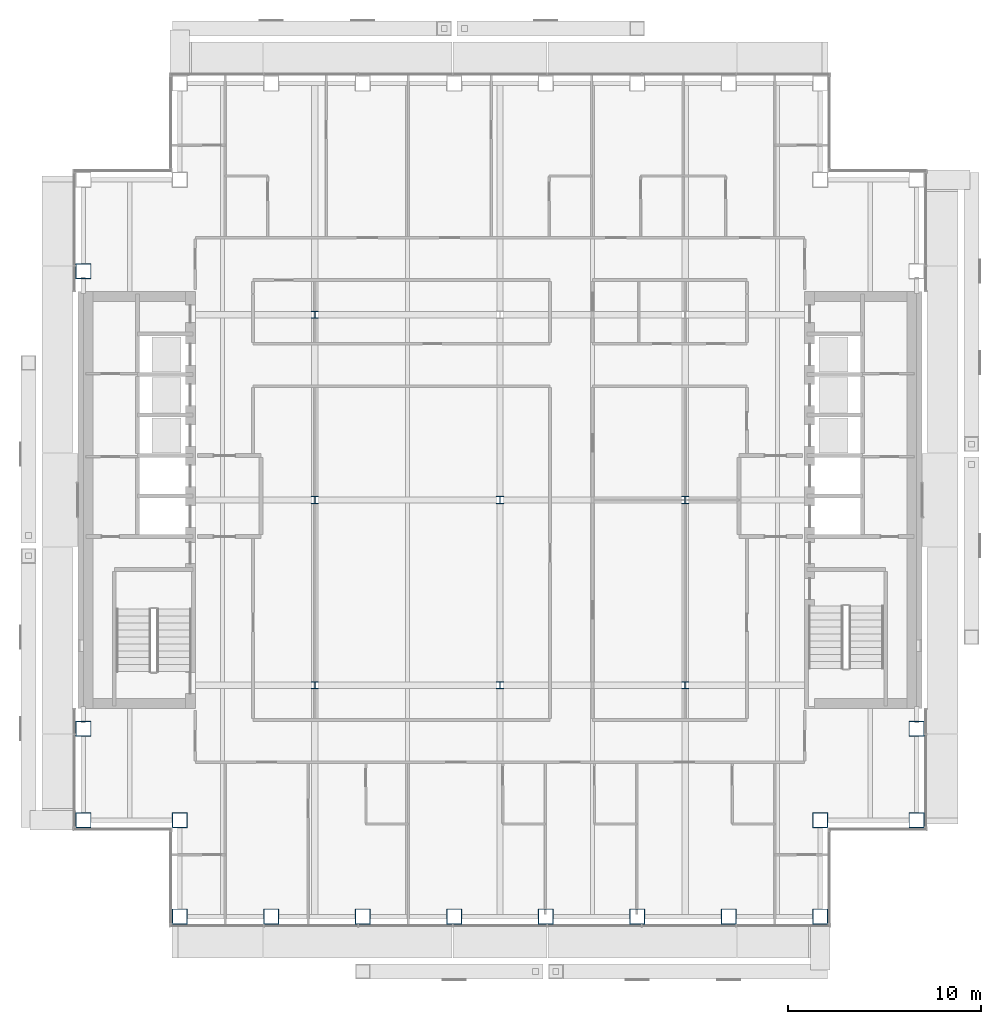
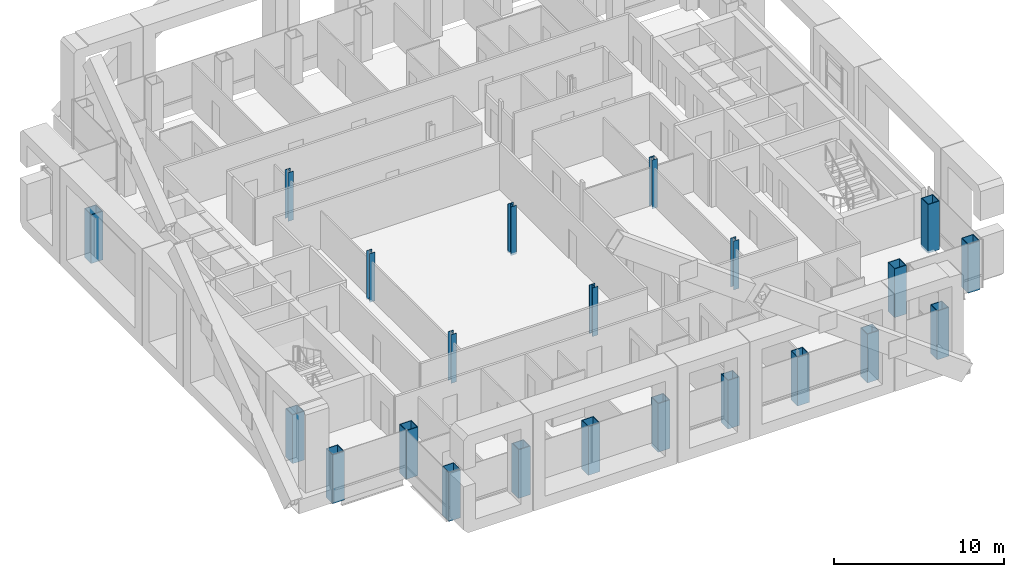
# One storey, part 1 of 22: 22 columns.
"""IFC4 building model written with IfcOpenShell, lengths in metres."""

from ifc_helpers import new_model, si_unit, direction, frame, origin, origin_2d, place, context, subcontext, project, spatial, hollow_rectangle, i_section, extrude, material, material_profile, profile_set, type_object, element, save


model = new_model("IFC4")

# Units and contexts
model_context = context("Model", 3, precision=1e-05, world=origin(), true_north=direction((0.0, 1.0)))
body_context = subcontext(model_context, "Body", "Model", "MODEL_VIEW")
ifc_project = project(units=[si_unit("LENGTHUNIT", "METRE"), si_unit("AREAUNIT", "SQUARE_METRE"), si_unit("VOLUMEUNIT", "CUBIC_METRE"), si_unit("PLANEANGLEUNIT", "RADIAN"), si_unit("MASSUNIT", "GRAM", prefix="KILO")], contexts=[model_context])

# Site, building, storey
site_placement = place(None, origin())
site = spatial("IfcSite", under=ifc_project, at=site_placement, CompositionType="ELEMENT")
building_placement = place(site_placement, origin())
building = spatial("IfcBuilding", under=site, at=building_placement, Name="Cobrizo Arcos Hotel Tower", CompositionType="ELEMENT")
storey_placement = place(building_placement, frame((0.0, 0.0, 155.0)))
storey = spatial("IfcBuildingStorey", under=building, at=storey_placement, Name="L39", CompositionType="ELEMENT", Elevation=155.0)

# Columns
ifc_material_1 = material(Name="Steel ASTM A572 Grade 50", Category="steel")
ifc_material_profile_1 = material_profile(ifc_material_1, hollow_rectangle(XDim=0.800048828125, YDim=0.800048828125, WallThickness=0.044921875, at=origin_2d()), Name="BOX 800X800X45")
ifc_profile_set_1 = profile_set([ifc_material_profile_1], Name="Steel ASTM A572 Grade 50")
column_type_1 = type_object("IfcColumnType", Name="BOX 800X800X45 column", PredefinedType="COLUMN", material=ifc_profile_set_1)
for number, where, z_axis, x_axis, name in (
    (1, (-16.60009765625, -21.60009765625, -0.14990234375), (0.0, 0.0, 1.0), (1.0, 0.0, 0.0), "Perimeter column C8, L39, no. 01"),
    (2, (-11.85693359375, -21.60009765625, -0.14990234375), (0.0, 0.0, 1.0), (1.0, 0.0, 0.0), "Perimeter column C8, L39, no. 03"),
    (3, (-7.114013671875, -21.60009765625, -0.14990234375), (0.0, 0.0, 1.0), (1.0, 0.0, 0.0), "Perimeter column C8, L39, no. 05"),
    (4, (-2.37109375, -21.60009765625, -0.14990234375), (0.0, 0.0, 1.0), (1.0, 0.0, 0.0), "Perimeter column C8, L39, no. 07"),
    (5, (2.37109375, -21.60009765625, -0.14990234375), (0.0, 0.0, 1.0), (1.0, 0.0, 0.0), "Perimeter column C8, L39, no. 09"),
    (6, (7.114013671875, -21.60009765625, -0.14990234375), (0.0, 0.0, 1.0), (1.0, 0.0, 0.0), "Perimeter column C8, L39, no. 11"),
    (7, (11.85693359375, -21.60009765625, -0.14990234375), (0.0, 0.0, 1.0), (1.0, 0.0, 0.0), "Perimeter column C8, L39, no. 13"),
    (8, (16.60009765625, -21.60009765625, -0.14990234375), (0.0, 0.0, 1.0), (1.0, 0.0, 0.0), "Perimeter column C8, L39, no. 15"),
    (9, (21.60009765625, -16.60009765625, -0.14990234375), (0.0, 0.0, 1.0), (1.0, 0.0, 0.0), "Perimeter column C8, L39, no. 16"),
    (10, (-21.60009765625, -16.60009765625, -0.14990234375), (0.0, 0.0, 1.0), (1.0, 0.0, 0.0), "Perimeter column C8, L39, no. 17"),
    (11, (21.60009765625, -11.85693359375, -0.14990234375), (0.0, 0.0, 1.0), (1.0, 0.0, 0.0), "Perimeter column C8, L39, no. 18"),
    (12, (-21.60009765625, -11.85693359375, -0.14990234375), (0.0, 0.0, 1.0), (1.0, 0.0, 0.0), "Perimeter column C8, L39, no. 19"),
    (13, (-21.60009765625, 11.85693359375, -0.14990234375), (0.0, 0.0, 1.0), (1.0, 0.0, 0.0), "Perimeter column C8, L39, no. 21"),
    (14, (-16.60009765625, -16.60009765625, -0.14990234375), (0.0, 0.0, 1.0), (1.0, 0.0, 0.0), "Perimeter column C8, L39, no. 24"),
    (15, (16.60009765625, -16.60009765625, -0.14990234375), (0.0, 0.0, 1.0), (1.0, 0.0, 0.0), "Perimeter column C8, L39, no. 26"),
):
    element("IfcColumn", number, at=place(storey_placement, frame(where, z_axis=z_axis, x_axis=x_axis)), inside=storey, type_object=column_type_1, Name=name, PredefinedType="COLUMN", context=body_context, shape_type="SweptSolid", body=[
        extrude(hollow_rectangle(XDim=0.800048828125, YDim=0.800048828125, WallThickness=0.044921875, at=origin_2d()), origin(), (0.0, 0.0, 1.0), 3.5),
    ])
ifc_material_2 = material(Name="Steel ASTM A992 Grade 50", Category="steel")
ifc_material_profile_2 = material_profile(ifc_material_2, i_section(OverallWidth=0.373291015625, OverallDepth=0.373291015625, WebThickness=0.016357421875, FlangeThickness=0.026123046875, at=origin_2d()), Name="W14X132")
ifc_profile_set_2 = profile_set([ifc_material_profile_2], Name="Steel ASTM A992 Grade 50")
column_type_2 = type_object("IfcColumnType", Name="W14X132 interior column", PredefinedType="COLUMN", material=ifc_profile_set_2)
for number, where, z_axis, x_axis, name in (
    (16, (-9.60009765625, -9.60009765625, -0.14990234375), (0.0, 0.0, 1.0), (1.0, 0.0, 0.0), "Interior column C9, L39, no. 00"),
    (17, (-9.60009765625, 0.0, -0.14990234375), (0.0, 0.0, 1.0), (1.0, 0.0, 0.0), "Interior column C9, L39, no. 01"),
    (18, (-9.60009765625, 9.60009765625, -0.14990234375), (0.0, 0.0, 1.0), (1.0, 0.0, 0.0), "Interior column C9, L39, no. 02"),
    (19, (0.0, -9.60009765625, -0.14990234375), (0.0, 0.0, 1.0), (1.0, 0.0, 0.0), "Interior column C9, L39, no. 03"),
    (20, (0.0, 0.0, -0.14990234375), (0.0, 0.0, 1.0), (1.0, 0.0, 0.0), "Interior column C9, L39, no. 04"),
    (21, (9.60009765625, -9.60009765625, -0.14990234375), (0.0, 0.0, 1.0), (1.0, 0.0, 0.0), "Interior column C9, L39, no. 06"),
    (22, (9.60009765625, 0.0, -0.14990234375), (0.0, 0.0, 1.0), (1.0, 0.0, 0.0), "Interior column C9, L39, no. 07"),
):
    element("IfcColumn", number, at=place(storey_placement, frame(where, z_axis=z_axis, x_axis=x_axis)), inside=storey, type_object=column_type_2, Name=name, PredefinedType="COLUMN", context=body_context, shape_type="SweptSolid", body=[
        extrude(i_section(OverallWidth=0.373291015625, OverallDepth=0.373291015625, WebThickness=0.016357421875, FlangeThickness=0.026123046875, at=origin_2d()), origin(), (0.0, 0.0, 1.0), 3.5),
    ])

save(model, "model.ifc")
